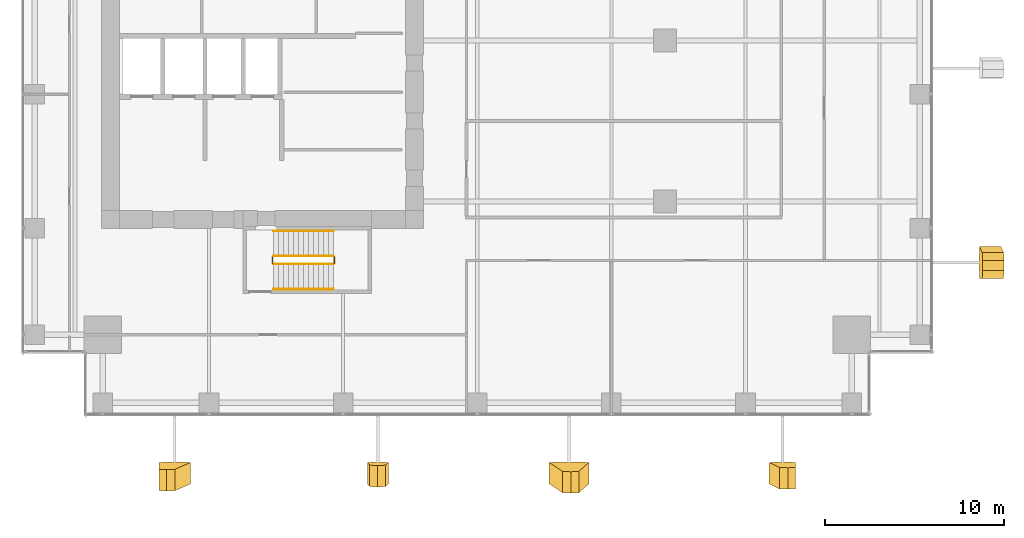
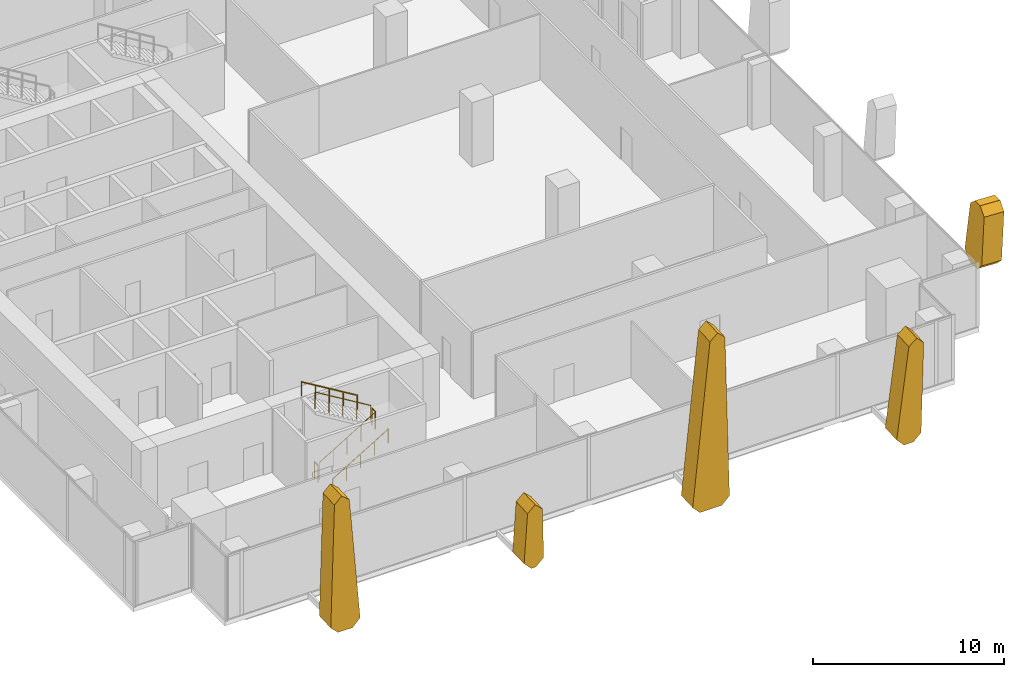
# One storey, part 32 of 35: 6 railings, 5 coverings.
"""IFC4 building model written with IfcOpenShell, lengths in metres."""

from ifc_helpers import new_model, si_unit, direction, frame, origin, origin_2d, place, context, subcontext, project, spatial, polyline, circle, outline, extrude, source, transform, mapped, material, layer, layer_set, type_object, element, save


model = new_model("IFC4")

# Units and contexts
model_context = context("Model", 3, precision=1e-05, world=origin(), true_north=direction((0.0, 1.0)))
body_context = subcontext(model_context, "Body", "Model", "MODEL_VIEW")
ifc_project = project(units=[si_unit("LENGTHUNIT", "METRE"), si_unit("AREAUNIT", "SQUARE_METRE"), si_unit("VOLUMEUNIT", "CUBIC_METRE"), si_unit("PLANEANGLEUNIT", "RADIAN"), si_unit("MASSUNIT", "GRAM", prefix="KILO")], contexts=[model_context])

# Site, building, storey
site_placement = place(None, origin())
site = spatial("IfcSite", under=ifc_project, at=site_placement, CompositionType="ELEMENT")
building_placement = place(site_placement, origin())
building = spatial("IfcBuilding", under=site, at=building_placement, Name="Khomas Fold Tower", CompositionType="ELEMENT")
storey_placement = place(building_placement, frame((0.0, 0.0, 136.699951171875)))
storey = spatial("IfcBuildingStorey", under=building, at=storey_placement, Name="L29", CompositionType="ELEMENT", Elevation=136.699951171875)

# Coverings
ifc_material_1 = material(Name="Natural stone cladding", Category="masonry")
ifc_layer = layer(ifc_material_1, 1.199951171875)
ifc_layer_set = layer_set([ifc_layer], Name="Natural stone cladding")
covering_type = type_object("IfcCoveringType", Name="SK-Karibib marble stone panel", PredefinedType="CLADDING", material=ifc_layer_set)
covering_1_placement = place(storey_placement, frame((9.625732421875, -1.496337890625, 8.964111328125), z_axis=(-7.1446475e-05, 0.998875193226, 0.047416698036), x_axis=(0.761617938878, 0.030781622154, -0.647294837702)))
element("IfcCovering", 1, at=covering_1_placement, inside=storey, type_object=covering_type, Name="OUTER SKIN leaf L29 SS03-1", PredefinedType="CLADDING", context=body_context, shape_type="SweptSolid", body=[
    extrude(outline(polyline([(0.0, 0.0), (0.6193127314327231, 5.551115123125783e-17), (6.515303770004796, 5.584511634689425), (6.497928407962293, 6.254287260476433), (5.833929955878524, 6.819253565415646), (5.1993266770728725, 6.767752473989344), (-0.03285185129504076, 0.6184327439112358), (0.0, 0.0)])), origin(), (0.0, 0.0, -1.0), 1.199951171875),
])
covering_2_placement = place(storey_placement, frame((21.42529296875, -1.267578125, 4.14111328125), z_axis=(-1.0322165e-05, 0.998874311292, 0.047435325816), x_axis=(0.72605327532, 0.032625840044, -0.686864030183)))
element("IfcCovering", 2, at=covering_2_placement, inside=storey, type_object=covering_type, Name="OUTER SKIN leaf L29 SS06-2", PredefinedType="CLADDING", context=body_context, shape_type="SweptSolid", body=[
    extrude(outline(polyline([(0.0, 0.0), (0.6227482952480584, -5.551115123125783e-17), (2.969965088702947, 2.2461461654647805), (2.9686790857227976, 2.8984208919688412), (2.76518563844076, 3.0911476847947728), (2.1173235509670367, 3.061080490642125), (-0.026399795205815035, 0.6222075323514131), (0.0, 0.0)])), origin(), (0.0, 0.0, -1.0), 1.199951171875),
])
covering_3_placement = place(storey_placement, frame((32.231201171875, -1.617919921875, 11.5224609375), z_axis=(7.968514e-05, 0.998874841523, 0.047424093272), x_axis=(0.722191337418, 0.032745446142, -0.690917801127)))
element("IfcCovering", 3, at=covering_3_placement, inside=storey, type_object=covering_type, Name="OUTER SKIN leaf L29 SS09-3", PredefinedType="CLADDING", context=body_context, shape_type="SweptSolid", body=[
    extrude(outline(polyline([(0.0, 0.0), (0.6166128990352393, 0.0), (8.382379258012703, 7.287186177026186), (8.38610324338706, 7.940875192405265), (7.432584993201806, 8.854126545073798), (6.774611438300595, 8.816236631603267), (-0.03746035424712835, 0.615630231466116), (0.0, 0.0)])), origin(), (0.0, 0.0, -1.0), 1.199951171875),
])
covering_4_placement = place(storey_placement, frame((44.371826171875, -1.394287109375, 6.811279296875), z_axis=(-4.532864e-06, 0.998874483153, 0.047431707584), x_axis=(0.689379951522, 0.034362647783, -0.723584473906)))
element("IfcCovering", 4, at=covering_4_placement, inside=storey, type_object=covering_type, Name="OUTER SKIN leaf L29 SS12-4", PredefinedType="CLADDING", context=body_context, shape_type="SweptSolid", body=[
    extrude(outline(polyline([(0.0, 0.0), (0.6211707432700736, 1.1102230246251565e-16), (4.908543965420911, 4.08010679661253), (4.924672590362039, 4.716592103200569), (4.528144473715342, 5.1332635567749625), (3.861299055876799, 5.11709594794222), (-0.029377782579947775, 0.6204778317909823), (0.0, 0.0)])), origin(), (0.0, 0.0, -1.0), 1.199951171875),
])
covering_5_placement = place(storey_placement, frame((55.2392578125, 10.639404296875, 3.54833984375), z_axis=(-0.998875209571, -5.7196402e-05, 0.047416373054), x_axis=(-0.047148674823, 0.107315636932, -0.993106417527)))
element("IfcCovering", 5, at=covering_5_placement, inside=storey, type_object=covering_type, Name="OUTER SKIN leaf L29 ES03-1", PredefinedType="CLADDING", context=body_context, shape_type="SweptSolid", body=[
    extrude(outline(polyline([(0.0, 0.0), (3.0712191768034116, 0.0), (3.519193144764789, 0.49821743931317347), (3.425632563835956, 1.3650088151216353), (2.9294834110645724, 1.7640197182710882), (-0.10636562173045934, 1.436333255839998), (-0.50592967039869, 0.9406399796424463), (-0.4477392334782369, 0.40153506626507474), (0.0, 0.0)])), origin(), (0.0, 0.0, -1.0), 1.199951171875),
])

# Railings
ifc_material_2 = material(Name="Steel balustrade", Category="steel")
railing_type_1 = type_object("IfcRailingType", Name="Stair guard", PredefinedType="GUARDRAIL", material=ifc_material_2)
shared_shape_1 = source(origin(), body_context, "Body", "SweptSolid", [
    extrude(circle(Radius=0.02392578125, at=origin_2d()), frame((0.0, 0.0, 1.076171875), z_axis=(0.0, 1.0, 0.0), x_axis=(-1.0, 0.0, 0.0)), (0.0, 0.0, 1.0), 0.349853515625),
    extrude(circle(Radius=0.02099609375, at=origin_2d()), origin(), (0.0, 0.0, 1.0), 1.052001953125),
    extrude(circle(Radius=0.02099609375, at=origin_2d()), frame((0.0, 0.349853515625, 0.0)), (0.0, 0.0, 1.0), 1.052001953125),
])
for number, where, name in (
    (6, (19.010009765625, 10.050048828125, 2.199951171875), "L29 ST2 stair guard 2"),
    (7, (15.550048828125, 10.050048828125, 0.0), "L29 ST2 stair guard 4"),
):
    element("IfcRailing", number, at=place(storey_placement, frame(where)), inside=storey, type_object=railing_type_1, Name=name, PredefinedType="GUARDRAIL", context=body_context, shape_type="MappedRepresentation", body=[
        mapped(shared_shape_1, transform((0.0, 0.0, 0.0))),
    ])
shared_shape_2 = source(origin(), body_context, "Body", "SweptSolid", [
    extrude(circle(Radius=0.02392578125, at=origin_2d()), frame((0.0, 0.0, 1.076171875), z_axis=(0.855820338506, 0.0, 0.51727318527), x_axis=(0.0, 1.0, 0.0)), (0.0, 0.0, 1.0), 3.92578125),
    extrude(circle(Radius=0.02099609375, at=origin_2d()), origin(), (0.0, 0.0, 1.0), 1.052001953125),
    extrude(circle(Radius=0.02099609375, at=origin_2d()), frame((0.83984375, 0.0, 0.5078125)), (0.0, 0.0, 1.0), 1.052001953125),
    extrude(circle(Radius=0.02099609375, at=origin_2d()), frame((1.679931640625, 0.0, 1.015380859375)), (0.0, 0.0, 1.0), 1.052001953125),
    extrude(circle(Radius=0.02099609375, at=origin_2d()), frame((2.52001953125, 0.0, 1.52294921875)), (0.0, 0.0, 1.0), 1.052001953125),
    extrude(circle(Radius=0.02099609375, at=origin_2d()), frame((3.35986328125, 0.0, 2.03076171875)), (0.0, 0.0, 1.0), 1.052001953125),
])
railing_1_placement = place(storey_placement, frame((15.60009765625, 10.0, 0.169189453125)))
element("IfcRailing", 8, at=railing_1_placement, inside=storey, type_object=railing_type_1, Name="L29 ST2 stair guard 1", PredefinedType="GUARDRAIL", context=body_context, shape_type="MappedRepresentation", body=[
    mapped(shared_shape_2, transform((0.0, 0.0, 0.0))),
])
shared_shape_3 = source(origin(), body_context, "Body", "SweptSolid", [
    extrude(circle(Radius=0.02392578125, at=origin_2d()), frame((0.0, 0.0, 1.076171875), z_axis=(-0.855820338506, 0.0, 0.51727318527), x_axis=(0.0, -1.0, 0.0)), (0.0, 0.0, 1.0), 3.92578125),
    extrude(circle(Radius=0.02099609375, at=origin_2d()), origin(), (0.0, 0.0, 1.0), 1.052001953125),
    extrude(circle(Radius=0.02099609375, at=origin_2d()), frame((-0.83984375, 0.0, 0.5078125)), (0.0, 0.0, 1.0), 1.052001953125),
    extrude(circle(Radius=0.02099609375, at=origin_2d()), frame((-1.679931640625, 0.0, 1.015380859375)), (0.0, 0.0, 1.0), 1.052001953125),
    extrude(circle(Radius=0.02099609375, at=origin_2d()), frame((-2.52001953125, 0.0, 1.52294921875)), (0.0, 0.0, 1.0), 1.052001953125),
    extrude(circle(Radius=0.02099609375, at=origin_2d()), frame((-3.35986328125, 0.0, 2.03076171875)), (0.0, 0.0, 1.0), 1.052001953125),
])
railing_2_placement = place(storey_placement, frame((18.9599609375, 10.449951171875, 2.369384765625)))
element("IfcRailing", 9, at=railing_2_placement, inside=storey, type_object=railing_type_1, Name="L29 ST2 stair guard 3", PredefinedType="GUARDRAIL", context=body_context, shape_type="MappedRepresentation", body=[
    mapped(shared_shape_3, transform((0.0, 0.0, 0.0))),
])
ifc_material_3 = material(Name="Steel handrail", Category="steel")
railing_type_2 = type_object("IfcRailingType", Name="Stair handrail", PredefinedType="HANDRAIL", material=ifc_material_3)
shared_shape_4 = source(origin(), body_context, "Body", "SweptSolid", [
    extrude(circle(Radius=0.02392578125, at=origin_2d()), frame((0.0, 0.0, 0.8759765625), z_axis=(0.855820338506, 0.0, 0.51727318527), x_axis=(0.0, 1.0, 0.0)), (0.0, 0.0, 1.0), 3.92578125),
    extrude(circle(Radius=0.02099609375, at=origin_2d()), origin(), (0.0, 0.0, 1.0), 0.851806640625),
    extrude(circle(Radius=0.02099609375, at=origin_2d()), frame((0.83984375, 0.0, 0.5078125)), (0.0, 0.0, 1.0), 0.851806640625),
    extrude(circle(Radius=0.02099609375, at=origin_2d()), frame((1.679931640625, 0.0, 1.015380859375)), (0.0, 0.0, 1.0), 0.851806640625),
    extrude(circle(Radius=0.02099609375, at=origin_2d()), frame((2.52001953125, 0.0, 1.52294921875)), (0.0, 0.0, 1.0), 0.851806640625),
    extrude(circle(Radius=0.02099609375, at=origin_2d()), frame((3.35986328125, 0.0, 2.03076171875)), (0.0, 0.0, 1.0), 0.851806640625),
])
railing_3_placement = place(storey_placement, frame((15.60009765625, 8.60009765625, 0.169189453125)))
element("IfcRailing", 10, at=railing_3_placement, inside=storey, type_object=railing_type_2, Name="L29 ST2 stair handrail 1", PredefinedType="HANDRAIL", context=body_context, shape_type="MappedRepresentation", body=[
    mapped(shared_shape_4, transform((0.0, 0.0, 0.0))),
])
shared_shape_5 = source(origin(), body_context, "Body", "SweptSolid", [
    extrude(circle(Radius=0.02392578125, at=origin_2d()), frame((0.0, 0.0, 0.8759765625), z_axis=(-0.855820338506, 0.0, 0.51727318527), x_axis=(0.0, -1.0, 0.0)), (0.0, 0.0, 1.0), 3.92578125),
    extrude(circle(Radius=0.02099609375, at=origin_2d()), origin(), (0.0, 0.0, 1.0), 0.851806640625),
    extrude(circle(Radius=0.02099609375, at=origin_2d()), frame((-0.83984375, 0.0, 0.5078125)), (0.0, 0.0, 1.0), 0.851806640625),
    extrude(circle(Radius=0.02099609375, at=origin_2d()), frame((-1.679931640625, 0.0, 1.015380859375)), (0.0, 0.0, 1.0), 0.851806640625),
    extrude(circle(Radius=0.02099609375, at=origin_2d()), frame((-2.52001953125, 0.0, 1.52294921875)), (0.0, 0.0, 1.0), 0.851806640625),
    extrude(circle(Radius=0.02099609375, at=origin_2d()), frame((-3.35986328125, 0.0, 2.03076171875)), (0.0, 0.0, 1.0), 0.851806640625),
])
railing_4_placement = place(storey_placement, frame((18.9599609375, 11.85009765625, 2.369384765625)))
element("IfcRailing", 11, at=railing_4_placement, inside=storey, type_object=railing_type_2, Name="L29 ST2 stair handrail 2", PredefinedType="HANDRAIL", context=body_context, shape_type="MappedRepresentation", body=[
    mapped(shared_shape_5, transform((0.0, 0.0, 0.0))),
])

save(model, "model.ifc")
